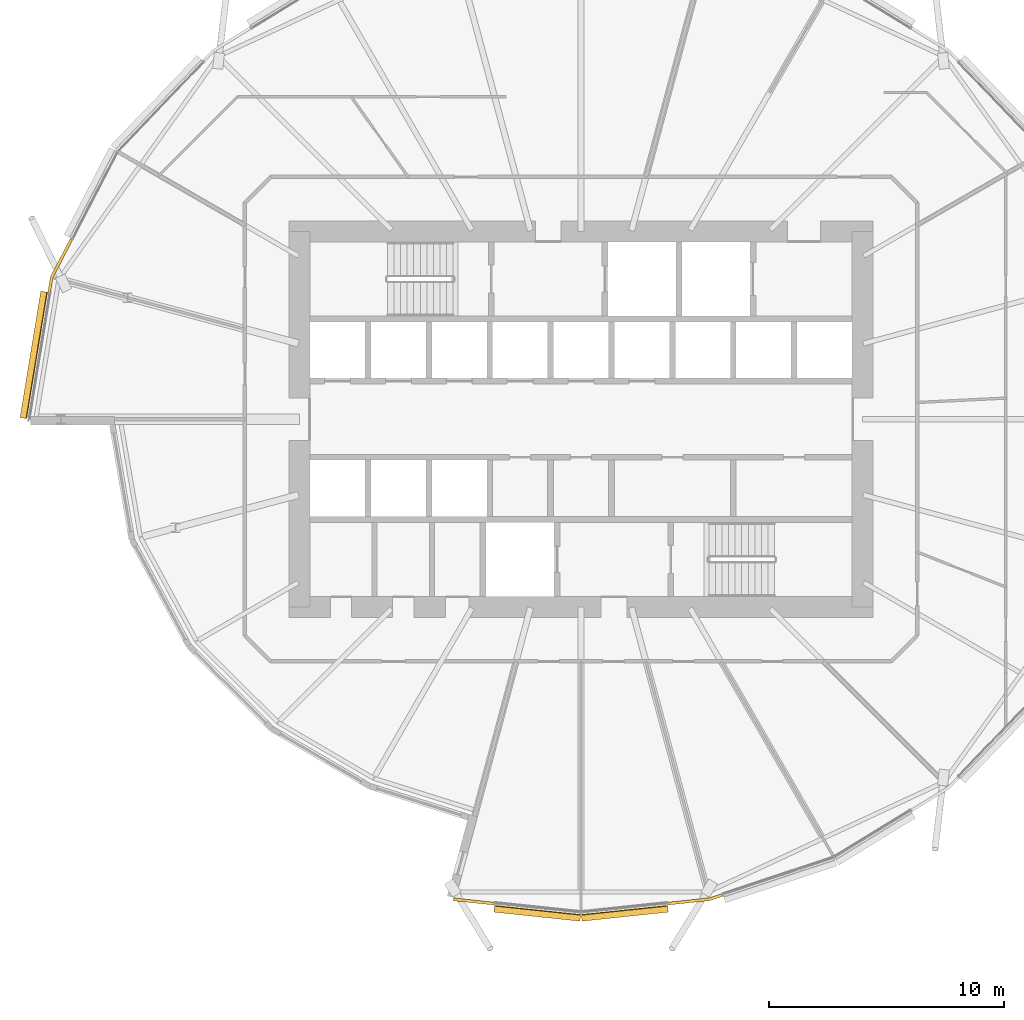
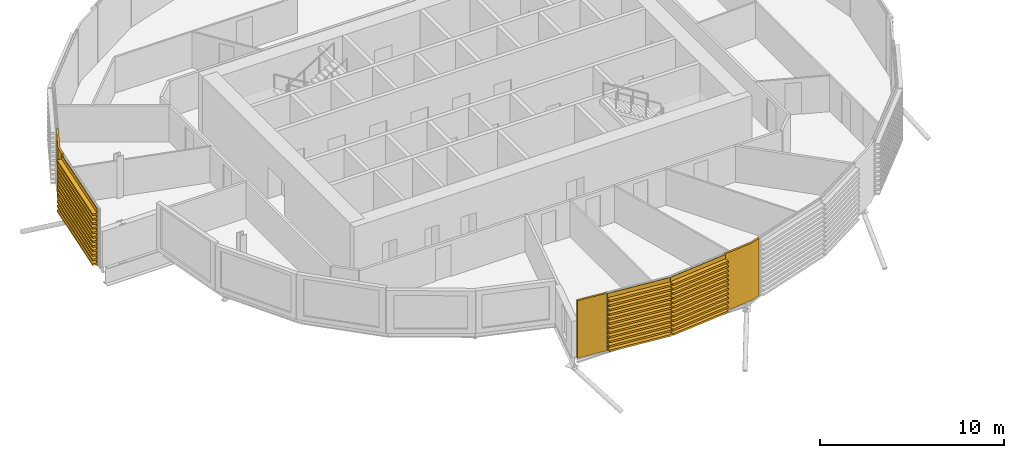
# One storey, part 33 of 38: 6 coverings.
"""IFC4 building model written with IfcOpenShell, lengths in metres."""

from ifc_helpers import new_model, si_unit, direction, frame, origin, place, context, subcontext, project, spatial, polyline, outline, extrude, material, layer, layer_set, material_profile, profile_set, type_object, element, save


model = new_model("IFC4")

# Units and contexts
model_context = context("Model", 3, precision=1e-05, world=origin(), true_north=direction((0.0, 1.0)))
body_context = subcontext(model_context, "Body", "Model", "MODEL_VIEW")
ifc_project = project(units=[si_unit("LENGTHUNIT", "METRE"), si_unit("AREAUNIT", "SQUARE_METRE"), si_unit("VOLUMEUNIT", "CUBIC_METRE"), si_unit("PLANEANGLEUNIT", "RADIAN"), si_unit("MASSUNIT", "GRAM", prefix="KILO")], contexts=[model_context])

# Site, building, storey
site_placement = place(None, origin())
site = spatial("IfcSite", under=ifc_project, at=site_placement, CompositionType="ELEMENT")
building_placement = place(site_placement, origin())
building = spatial("IfcBuilding", under=site, at=building_placement, Name="Rimbun Link Towers", CompositionType="ELEMENT")
storey_placement = place(building_placement, frame((0.0, 0.0, 71.800048828125)))
storey = spatial("IfcBuildingStorey", under=building, at=storey_placement, Name="L17", CompositionType="ELEMENT", Elevation=71.800048828125)

# Coverings
ifc_material_1 = material(Name="Terracotta", Category="masonry")
ifc_layer = layer(ifc_material_1, 0.1201171875)
ifc_layer_set = layer_set([ifc_layer], Name="LINK PIER terracotta cladding 120")
covering_type_1 = type_object("IfcCoveringType", Name="LINK PIER terracotta cladding 120", PredefinedType="CLADDING", material=ifc_layer_set)
covering_1_placement = place(storey_placement, origin())
element("IfcCovering", 1, at=covering_1_placement, inside=storey, type_object=covering_type_1, Name="LINK PIER cladding", PredefinedType="CLADDING", context=body_context, shape_type="SweptSolid", body=[
    extrude(outline(polyline([(-54.353515625, 5.417724609375), (-54.252685546875, 6.029541015625), (-53.41650390625, 7.64599609375), (-53.52294921875, 7.701171875), (-54.3681640625, 6.06787109375), (-54.471923828125, 5.437255859375), (-54.353515625, 5.417724609375)])), origin(), (0.0, 0.0, 1.0), 3.800048828125),
])
covering_2_placement = place(storey_placement, origin())
element("IfcCovering", 2, at=covering_2_placement, inside=storey, type_object=covering_type_1, Name="LINK PIER cladding", PredefinedType="CLADDING", context=body_context, shape_type="SweptSolid", body=[
    extrude(outline(polyline([(-35.456298828125, -20.586669921875), (-37.186767578125, -20.404541015625), (-37.19921875, -20.523681640625), (-35.46875, -20.7060546875), (-35.456298828125, -20.586669921875)])), origin(), (0.0, 0.0, 1.0), 3.800048828125),
])
covering_3_placement = place(storey_placement, origin())
element("IfcCovering", 3, at=covering_3_placement, inside=storey, type_object=covering_type_1, Name="LINK PIER cladding", PredefinedType="CLADDING", context=body_context, shape_type="SweptSolid", body=[
    extrude(outline(polyline([(-25.742431640625, -20.221923828125), (-26.283447265625, -20.4013671875), (-28.043701171875, -20.586669921875), (-28.03125, -20.7060546875), (-26.258056640625, -20.519287109375), (-25.70458984375, -20.3359375), (-25.742431640625, -20.221923828125)])), origin(), (0.0, 0.0, 1.0), 3.800048828125),
])
ifc_material_2 = material(Name="Terracotta", Category="masonry")
ifc_material_profile = material_profile(ifc_material_2, outline(polyline([(0.123046875, 0.0), (0.1630859375, 0.0), (0.1630859375, 0.10009765625), (0.423095703125, 0.10009765625), (0.423095703125, 0.219970703125), (0.1630859375, 0.219970703125), (0.1630859375, 0.39990234375), (0.423095703125, 0.39990234375), (0.423095703125, 0.52001953125), (0.1630859375, 0.52001953125), (0.1630859375, 0.699951171875), (0.423095703125, 0.699951171875), (0.423095703125, 0.820068359375), (0.1630859375, 0.820068359375), (0.1630859375, 1.0), (0.423095703125, 1.0), (0.423095703125, 1.1201171875), (0.1630859375, 1.1201171875), (0.1630859375, 1.300048828125), (0.423095703125, 1.300048828125), (0.423095703125, 1.419921875), (0.1630859375, 1.419921875), (0.1630859375, 1.60009765625), (0.423095703125, 1.60009765625), (0.423095703125, 1.719970703125), (0.1630859375, 1.719970703125), (0.1630859375, 1.89990234375), (0.423095703125, 1.89990234375), (0.423095703125, 2.02001953125), (0.1630859375, 2.02001953125), (0.1630859375, 2.199951171875), (0.423095703125, 2.199951171875), (0.423095703125, 2.320068359375), (0.1630859375, 2.320068359375), (0.1630859375, 2.5), (0.423095703125, 2.5), (0.423095703125, 2.6201171875), (0.1630859375, 2.6201171875), (0.1630859375, 2.800048828125), (0.423095703125, 2.800048828125), (0.423095703125, 2.919921875), (0.1630859375, 2.919921875), (0.1630859375, 3.10009765625), (0.423095703125, 3.10009765625), (0.423095703125, 3.219970703125), (0.1630859375, 3.219970703125), (0.1630859375, 3.39990234375), (0.423095703125, 3.39990234375), (0.423095703125, 3.52001953125), (0.1630859375, 3.52001953125), (0.1630859375, 3.800048828125), (0.123046875, 3.800048828125), (0.123046875, 0.0)])), Name="BAGUETTE 120X300")
ifc_profile_set = profile_set([ifc_material_profile], Name="Terracotta")
covering_type_2 = type_object("IfcCoveringType", Name="TERRACOTTA BAGUETTE 120X300 H3800", PredefinedType="CLADDING", material=ifc_profile_set)
covering_4_placement = place(storey_placement, frame((-55.244384765625, 0.0, 0.0), z_axis=(0.162296051621, 0.98674210999, 0.0), x_axis=(-0.98674210999, 0.162296051621, 0.0)))
element("IfcCovering", 4, at=covering_4_placement, inside=storey, type_object=covering_type_2, Name="TERRACOTTA BAGUETTE", PredefinedType="CLADDING", context=body_context, shape_type="SweptSolid", body=[
    extrude(outline(polyline([(0.123046875, 0.0), (0.1630859375, 0.0), (0.1630859375, 0.10009765625), (0.423095703125, 0.10009765625), (0.423095703125, 0.219970703125), (0.1630859375, 0.219970703125), (0.1630859375, 0.39990234375), (0.423095703125, 0.39990234375), (0.423095703125, 0.52001953125), (0.1630859375, 0.52001953125), (0.1630859375, 0.699951171875), (0.423095703125, 0.699951171875), (0.423095703125, 0.820068359375), (0.1630859375, 0.820068359375), (0.1630859375, 1.0), (0.423095703125, 1.0), (0.423095703125, 1.1201171875), (0.1630859375, 1.1201171875), (0.1630859375, 1.300048828125), (0.423095703125, 1.300048828125), (0.423095703125, 1.419921875), (0.1630859375, 1.419921875), (0.1630859375, 1.60009765625), (0.423095703125, 1.60009765625), (0.423095703125, 1.719970703125), (0.1630859375, 1.719970703125), (0.1630859375, 1.89990234375), (0.423095703125, 1.89990234375), (0.423095703125, 2.02001953125), (0.1630859375, 2.02001953125), (0.1630859375, 2.199951171875), (0.423095703125, 2.199951171875), (0.423095703125, 2.320068359375), (0.1630859375, 2.320068359375), (0.1630859375, 2.5), (0.423095703125, 2.5), (0.423095703125, 2.6201171875), (0.1630859375, 2.6201171875), (0.1630859375, 2.800048828125), (0.423095703125, 2.800048828125), (0.423095703125, 2.919921875), (0.1630859375, 2.919921875), (0.1630859375, 3.10009765625), (0.423095703125, 3.10009765625), (0.423095703125, 3.219970703125), (0.1630859375, 3.219970703125), (0.1630859375, 3.39990234375), (0.423095703125, 3.39990234375), (0.423095703125, 3.52001953125), (0.1630859375, 3.52001953125), (0.1630859375, 3.800048828125), (0.123046875, 3.800048828125), (0.123046875, 0.0)])), origin(), (0.0, 0.0, 1.0), 5.460693359375),
])
for number, where, z_axis, x_axis, name in (
    (5, (-31.75, -20.97705078125, 0.0), (-0.994499661573, 0.104739787719, 0.0), (-0.104739787719, -0.994499661573, 0.0), "TERRACOTTA BAGUETTE"),
    (6, (-28.073486328125, -20.58984375, 0.0), (-0.994499661573, -0.104739787719, 0.0), (0.104739787719, -0.994499661573, 0.0), "TERRACOTTA BAGUETTE"),
):
    element("IfcCovering", number, at=place(storey_placement, frame(where, z_axis=z_axis, x_axis=x_axis)), inside=storey, type_object=covering_type_2, Name=name, PredefinedType="CLADDING", context=body_context, shape_type="SweptSolid", body=[
        extrude(outline(polyline([(0.123046875, 0.0), (0.1630859375, 0.0), (0.1630859375, 0.10009765625), (0.423095703125, 0.10009765625), (0.423095703125, 0.219970703125), (0.1630859375, 0.219970703125), (0.1630859375, 0.39990234375), (0.423095703125, 0.39990234375), (0.423095703125, 0.52001953125), (0.1630859375, 0.52001953125), (0.1630859375, 0.699951171875), (0.423095703125, 0.699951171875), (0.423095703125, 0.820068359375), (0.1630859375, 0.820068359375), (0.1630859375, 1.0), (0.423095703125, 1.0), (0.423095703125, 1.1201171875), (0.1630859375, 1.1201171875), (0.1630859375, 1.300048828125), (0.423095703125, 1.300048828125), (0.423095703125, 1.419921875), (0.1630859375, 1.419921875), (0.1630859375, 1.60009765625), (0.423095703125, 1.60009765625), (0.423095703125, 1.719970703125), (0.1630859375, 1.719970703125), (0.1630859375, 1.89990234375), (0.423095703125, 1.89990234375), (0.423095703125, 2.02001953125), (0.1630859375, 2.02001953125), (0.1630859375, 2.199951171875), (0.423095703125, 2.199951171875), (0.423095703125, 2.320068359375), (0.1630859375, 2.320068359375), (0.1630859375, 2.5), (0.423095703125, 2.5), (0.423095703125, 2.6201171875), (0.1630859375, 2.6201171875), (0.1630859375, 2.800048828125), (0.423095703125, 2.800048828125), (0.423095703125, 2.919921875), (0.1630859375, 2.919921875), (0.1630859375, 3.10009765625), (0.423095703125, 3.10009765625), (0.423095703125, 3.219970703125), (0.1630859375, 3.219970703125), (0.1630859375, 3.39990234375), (0.423095703125, 3.39990234375), (0.423095703125, 3.52001953125), (0.1630859375, 3.52001953125), (0.1630859375, 3.800048828125), (0.123046875, 3.800048828125), (0.123046875, 0.0)])), origin(), (0.0, 0.0, 1.0), 3.69677734375),
    ])

save(model, "model.ifc")
